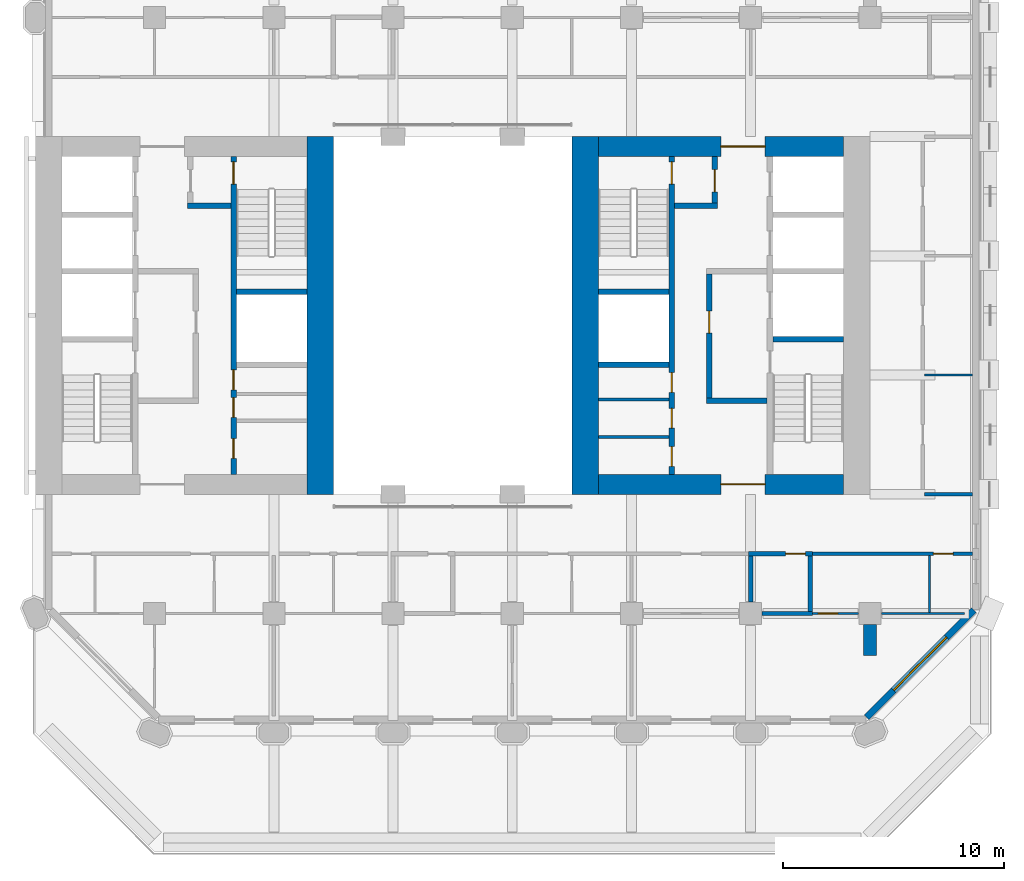
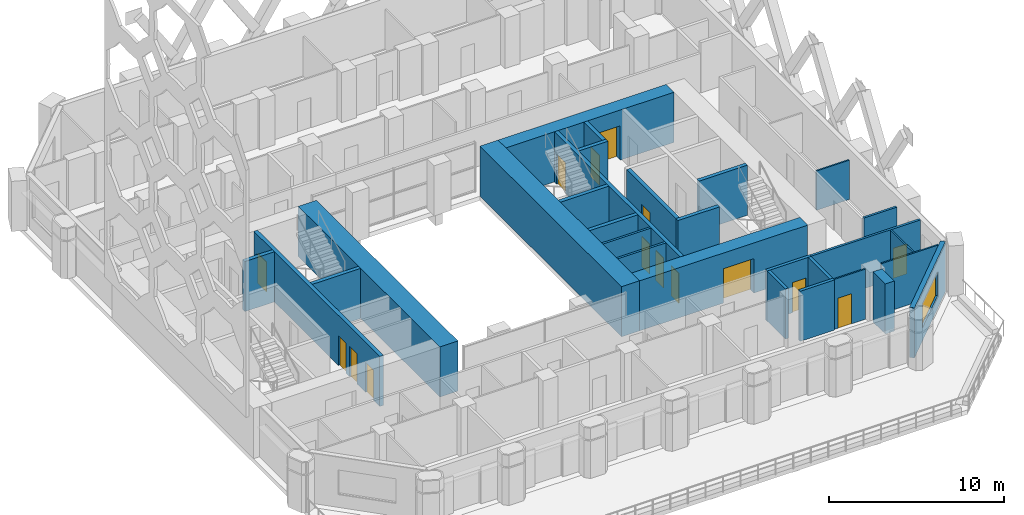
# One storey, part 10 of 16: 29 walls, 15 doors, 1 window, 16 openings.
"""IFC4 building model written with IfcOpenShell, lengths in metres."""

import ifcopenshell
import ifcopenshell.guid

model = None  # the IFC model being written
_history = None  # IfcOwnerHistory: only IFC2X3 demands one
_inside = {}  # id of a spatial element -> (the spatial element, [elements in it])
_under = {}  # id of a project, library or spatial element -> (it, [spatial elements below it])
_declared = {}  # id of a project -> (the project, [libraries it declares])
_typed = {}  # id of a type object -> (the type object, [elements of that type])
_made_of = {}  # id of a material, layer set ... -> (it, [elements and type objects made of it])


def new_model(schema):
    """Start an empty IFC model of exactly this schema.

    Asked for "IFC4X3", IfcOpenShell would pick the latest addendum, in which some entities
    have other attributes; the version numbers below select the first issue.
    IFC2X3 requires an IfcOwnerHistory on every rooted entity: one is made here for all.
    """
    global model, _history
    if schema == "IFC4X3":
        model = ifcopenshell.file(schema_version=(4, 3, 0, 0))
    else:
        model = ifcopenshell.file(schema=schema)
    _inside.clear()
    _under.clear()
    _declared.clear()
    _typed.clear()
    _made_of.clear()
    _history = None
    if model.schema == "IFC2X3":
        org = make("IfcOrganization", Name="unknown")
        user = make(
            "IfcPersonAndOrganization",
            ThePerson=make("IfcPerson", FamilyName="unknown"),
            TheOrganization=org,
        )
        app = make(
            "IfcApplication",
            ApplicationDeveloper=org,
            Version="unknown",
            ApplicationFullName="unknown",
            ApplicationIdentifier="unknown",
        )
        _history = make(
            "IfcOwnerHistory",
            OwningUser=user,
            OwningApplication=app,
            ChangeAction="ADDED",
            CreationDate=0,
        )
    return model


def make(cls, **values):
    """One entity of the class cls with the attributes given. An attribute that is None is left unset."""
    return model.create_entity(
        cls, **{name: value for name, value in values.items() if value is not None}
    )


def rooted(cls, **values):
    """An entity with a GlobalId (a new one), such as an element, a storey or a relation."""
    return make(cls, GlobalId=ifcopenshell.guid.new(), OwnerHistory=_history, **values)


def si_unit(unit_type, name, prefix=None):
    """IfcSIUnit, for example si_unit("LENGTHUNIT", "METRE", prefix="MILLI")."""
    return make("IfcSIUnit", UnitType=unit_type, Prefix=prefix, Name=name)


def assignment(units):
    """IfcUnitAssignment: the units of a project."""
    return None if units is None else make("IfcUnitAssignment", Units=units)


def point(xyz):
    """IfcCartesianPoint."""
    return None if xyz is None else make("IfcCartesianPoint", Coordinates=xyz)


def direction(xyz):
    """IfcDirection."""
    return None if xyz is None else make("IfcDirection", DirectionRatios=xyz)


def frame(location, z_axis=None, x_axis=None):
    """IfcAxis2Placement3D, a coordinate frame: its origin and axes. An axis left out is left unset."""
    return make(
        "IfcAxis2Placement3D",
        Location=point(location),
        Axis=direction(z_axis),
        RefDirection=direction(x_axis),
    )


def frame_2d(location, x_axis=None):
    """IfcAxis2Placement2D, a coordinate frame in the plane: its origin and x axis."""
    return make(
        "IfcAxis2Placement2D", Location=point(location), RefDirection=direction(x_axis)
    )


def origin():
    """The frame at (0, 0, 0) with its axes left unset."""
    return frame((0.0, 0.0, 0.0))


def place(relative_to, where):
    """IfcLocalPlacement: puts the frame where relative to a parent placement (None: the world)."""
    return make(
        "IfcLocalPlacement", PlacementRelTo=relative_to, RelativePlacement=where
    )


def context(
    kind, dimensions, precision=None, world=None, true_north=None, identifier=None
):
    """IfcGeometricRepresentationContext, for example the 3D "Model" context."""
    return make(
        "IfcGeometricRepresentationContext",
        ContextIdentifier=identifier,
        ContextType=kind,
        CoordinateSpaceDimension=dimensions,
        Precision=precision,
        WorldCoordinateSystem=world,
        TrueNorth=true_north,
    )


def subcontext(parent, identifier, kind, view, scale=None):
    """IfcGeometricRepresentationSubContext, for example "Body" below "Model"."""
    return make(
        "IfcGeometricRepresentationSubContext",
        ContextIdentifier=identifier,
        ContextType=kind,
        ParentContext=parent,
        TargetScale=scale,
        TargetView=view,
    )


def project(units=None, contexts=None):
    """IfcProject with its units and contexts."""
    return rooted(
        "IfcProject",
        Name="project",
        RepresentationContexts=contexts,
        UnitsInContext=assignment(units),
    )


def spatial(cls, under=None, at=None, **own):
    """A site, building, storey or space (cls), placed at a placement, below another one or the project."""
    s = rooted(cls, ObjectPlacement=at, **own)
    if under is not None:
        _under.setdefault(under.id(), (under, []))[1].append(s)
    return s


def profile(cls, at=None, kind="AREA", **sizes):
    """A parametric profile (cls). Its sizes go by their IFC names, for example OverallWidth=200.0."""
    return make(cls, ProfileType=kind, Position=at, **sizes)


def rectangle(**sizes):
    """IfcRectangleProfileDef."""
    return profile("IfcRectangleProfileDef", **sizes)


def extrude(swept, where, along, depth):
    """IfcExtrudedAreaSolid: the profile swept, set in the frame where, extruded along a direction by depth."""
    return make(
        "IfcExtrudedAreaSolid",
        SweptArea=swept,
        Position=where,
        ExtrudedDirection=direction(along),
        Depth=depth,
    )


def shape(context_of_items, identifier, shape_type, items):
    """IfcShapeRepresentation: the items that make up one representation, for example the "Body"."""
    return make(
        "IfcShapeRepresentation",
        ContextOfItems=context_of_items,
        RepresentationIdentifier=identifier,
        RepresentationType=shape_type,
        Items=items,
    )


def material(Name=None, Category=None):
    """IfcMaterial."""
    return make("IfcMaterial", Name=Name, Category=Category)


def layer(
    of_material, thickness, ventilated=None, Name=None, Category=None, Priority=None
):
    """IfcMaterialLayer: one layer of a wall or slab, of a material (None: an air gap)."""
    return make(
        "IfcMaterialLayer",
        Material=of_material,
        LayerThickness=thickness,
        IsVentilated=ventilated,
        Name=Name,
        Category=Category,
        Priority=Priority,
    )


def layer_set(layers, Name=None):
    """IfcMaterialLayerSet."""
    return make("IfcMaterialLayerSet", MaterialLayers=layers, LayerSetName=Name)


def made_of(thing, what):
    """Note that an element or type object is made of a material, layer set ...; save() writes the relation."""
    if what is not None:
        _made_of.setdefault(what.id(), (what, []))[1].append(thing)
    return thing


def type_object(cls, material=None, **own):
    """A type object (cls), such as IfcWallType, which elements share."""
    return made_of(rooted(cls, **own), material)


def element(
    cls,
    number,
    at=None,
    inside=None,
    cuts=None,
    type_object=None,
    material=None,
    context=None,
    identifier="Body",
    shape_type=None,
    held_by="IfcProductDefinitionShape",
    body=None,
    shapes=None,
    **own,
):
    """One element of the class cls, such as IfcWall. Its Tag is "e" and its number.

    at: its placement. inside: the storey or other place that contains it. cuts: it is an
    opening in that element (IfcRelVoidsElement). A single representation is given by context,
    identifier, shape_type and body (its items); several are given by shapes. held_by: the class
    of the entity that holds the representations. save() writes the other relations.
    """
    e = rooted(cls, Tag="e%d" % number, ObjectPlacement=at, **own)
    if body is not None:
        shapes = [shape(context, identifier, shape_type, body)]
    if shapes is not None:
        e.Representation = make(held_by, Representations=shapes)
    if inside is not None:
        _inside.setdefault(inside.id(), (inside, []))[1].append(e)
    if cuts is not None:
        rooted(
            "IfcRelVoidsElement", RelatingBuildingElement=cuts, RelatedOpeningElement=e
        )
    if type_object is not None:
        _typed.setdefault(type_object.id(), (type_object, []))[1].append(e)
    return made_of(e, material)


def fill(opening, filler):
    """IfcRelFillsElement: the door or window that sits in an opening."""
    return rooted(
        "IfcRelFillsElement",
        RelatingOpeningElement=opening,
        RelatedBuildingElement=filler,
    )


def aggregate(whole, parts):
    """IfcRelAggregates: a whole, such as a stair, and the parts it consists of."""
    return rooted("IfcRelAggregates", RelatingObject=whole, RelatedObjects=parts)


def save(model, path):
    """Write the relations noted so far, then the file.

    IfcRelAggregates (storeys below a building ...), IfcRelContainedInSpatialStructure (elements
    in a storey), IfcRelDefinesByType, IfcRelAssociatesMaterial and IfcRelDeclares: one each for
    every whole, place, type object, material and project.
    """
    for whole, parts in _under.values():
        aggregate(whole, parts)
    for where, things in _inside.values():
        rooted(
            "IfcRelContainedInSpatialStructure",
            RelatedElements=things,
            RelatingStructure=where,
        )
    for kind, things in _typed.values():
        rooted("IfcRelDefinesByType", RelatedObjects=things, RelatingType=kind)
    for what, things in _made_of.values():
        rooted("IfcRelAssociatesMaterial", RelatedObjects=things, RelatingMaterial=what)
    for by, libraries in _declared.values():
        rooted("IfcRelDeclares", RelatingContext=by, RelatedDefinitions=libraries)
    model.write(path)


model = new_model("IFC4")

# Units and contexts
model_context = context("Model", 3, precision=1e-05, world=origin(), true_north=direction((0.0, 1.0)))
body_context = subcontext(model_context, "Body", "Model", "MODEL_VIEW")
ifc_project = project(units=[si_unit("LENGTHUNIT", "METRE"), si_unit("AREAUNIT", "SQUARE_METRE"), si_unit("VOLUMEUNIT", "CUBIC_METRE"), si_unit("PLANEANGLEUNIT", "RADIAN"), si_unit("MASSUNIT", "GRAM", prefix="KILO")], contexts=[model_context])

# Site, building, storey
site_placement = place(None, origin())
site = spatial("IfcSite", under=ifc_project, at=site_placement, CompositionType="ELEMENT")
building_placement = place(site_placement, origin())
building = spatial("IfcBuilding", under=site, at=building_placement, Name="Tabaq Tower and Sports Hall", CompositionType="ELEMENT")
storey_placement = place(building_placement, frame((0.0, 0.0, 65.0)))
storey = spatial("IfcBuildingStorey", under=building, at=storey_placement, Name="L14", CompositionType="ELEMENT", Elevation=65.0)

# Walls
ifc_material_1 = material(Name="Blockwork", Category="masonry")
ifc_layer_1 = layer(ifc_material_1, 0.14990234375)
ifc_layer_set_1 = layer_set([ifc_layer_1], Name="Core room partition 150 Blockwork")
wall_type_1 = type_object("IfcWallType", Name="Core room partition 150 Blockwork", PredefinedType="PARTITIONING", material=ifc_layer_set_1)
for number, where, z_axis, x_axis, name in (
    (1, (30.89990234375, 18.797119140625, 0.0), (0.0, 0.0, 1.0), (1.0, 0.0, 0.0), "Core room partition E L14"),
    (2, (30.89990234375, 20.493896484375, 0.0), (0.0, 0.0, 1.0), (1.0, 0.0, 0.0), "Core room partition E L14"),
):
    element("IfcWall", number, at=place(storey_placement, frame(where, z_axis=z_axis, x_axis=x_axis)), inside=storey, type_object=wall_type_1, Name=name, PredefinedType="PARTITIONING", context=body_context, shape_type="SweptSolid", body=[
        extrude(rectangle(XDim=3.2001953125, YDim=0.14990234375, at=frame_2d((1.60009765625, 0.0))), origin(), (0.0, 0.0, 1.0), 3.5),
    ])
ifc_material_2 = material(Name="Concrete C60/75", Category="concrete")
ifc_layer_2 = layer(ifc_material_2, 1.199951171875)
ifc_layer_set_2 = layer_set([ifc_layer_2], Name="Core wall 1200 Concrete C60/75")
wall_type_2 = type_object("IfcWallType", Name="Core wall 1200 Concrete C60/75", PredefinedType="SOLIDWALL", material=ifc_layer_set_2)
for number, where, z_axis, x_axis, name in (
    (3, (18.300048828125, 32.39990234375, 0.0), (0.0, 0.0, 1.0), (0.0, -1.0, 0.0), "Core wall W L14"),
    (4, (30.300048828125, 16.199951171875, 0.0), (0.0, 0.0, 1.0), (0.0, 1.0, 0.0), "Core wall E L14"),
):
    element("IfcWall", number, at=place(storey_placement, frame(where, z_axis=z_axis, x_axis=x_axis)), inside=storey, type_object=wall_type_2, Name=name, PredefinedType="SOLIDWALL", context=body_context, shape_type="SweptSolid", body=[
        extrude(rectangle(XDim=16.199951171875, YDim=1.199951171875, at=frame_2d((8.10009765625, 0.0))), origin(), (0.0, 0.0, 1.0), 3.5),
    ])

# Wall, opening, door
ifc_material_3 = material(Name="Concrete C60/75", Category="concrete")
ifc_layer_3 = layer(ifc_material_3, 0.89990234375)
ifc_layer_set_3 = layer_set([ifc_layer_3], Name="Core wall 900 Concrete C60/75")
wall_type_3 = type_object("IfcWallType", Name="Core wall 900 Concrete C60/75", PredefinedType="SOLIDWALL", material=ifc_layer_set_3)
wall_1_placement = place(storey_placement, frame((42.0, 16.64990234375, 0.0), z_axis=(0.0, 0.0, 1.0), x_axis=(-1.0, 0.0, 0.0)))
wall_1 = element("IfcWall", 5, at=wall_1_placement, inside=storey, type_object=wall_type_3, Name="Core wall E L14", PredefinedType="SOLIDWALL", context=body_context, shape_type="SweptSolid", body=[
    extrude(rectangle(XDim=11.10009765625, YDim=0.89990234375, at=frame_2d((5.550048828125, 0.0))), origin(), (0.0, 0.0, 1.0), 3.5),
])
opening_1_placement = place(wall_1_placement, frame((3.550048828125, 0.0, 0.0)))
opening_1 = element("IfcOpeningElement", 6, at=opening_1_placement, cuts=wall_1, Name="Opening PD-EL14-01", PredefinedType="OPENING", context=body_context, shape_type="SweptSolid", body=[
    extrude(rectangle(XDim=2.0, YDim=2.39990234375, at=frame_2d((1.0, 1.199951171875))), frame((0.0, 0.449951171875, 0.0), z_axis=(0.0, -1.0, 0.0), x_axis=(1.0, 0.0, 0.0)), (0.0, 0.0, 1.0), 0.89990234375),
])
ifc_material_4 = material(Name="Steel fire door", Category="steel")
door_type_1 = type_object("IfcDoorType", Name="Core entrance door 2000", OperationType="DOUBLE_DOOR_SINGLE_SWING", PredefinedType="DOOR", material=ifc_material_4)
door_1_placement = place(opening_1_placement, origin())
door_1 = element("IfcDoor", 7, at=door_1_placement, inside=storey, type_object=door_type_1, Name="Core entrance south E L14", OperationType="DOUBLE_DOOR_SINGLE_SWING", OverallHeight=2.39990234375, OverallWidth=2.0, PredefinedType="DOOR", context=body_context, shape_type="SweptSolid", body=[
    extrude(rectangle(XDim=2.0, YDim=2.39990234375, at=frame_2d((1.0, 1.199951171875))), frame((0.0, 0.02490234375, 0.0), z_axis=(0.0, -1.0, 0.0), x_axis=(1.0, 0.0, 0.0)), (0.0, 0.0, 1.0), 0.050048828125),
])
fill(opening_1, door_1)

wall_2_placement = place(storey_placement, frame((30.89990234375, 31.949951171875, 0.0), z_axis=(0.0, 0.0, 1.0), x_axis=(1.0, 0.0, 0.0)))
wall_2 = element("IfcWall", 8, at=wall_2_placement, inside=storey, type_object=wall_type_3, Name="Core wall E L14", PredefinedType="SOLIDWALL", context=body_context, shape_type="SweptSolid", body=[
    extrude(rectangle(XDim=11.10009765625, YDim=0.89990234375, at=frame_2d((5.550048828125, 0.0))), origin(), (0.0, 0.0, 1.0), 3.5),
])
opening_2_placement = place(wall_2_placement, frame((5.550048828125, 0.0, 0.0)))
opening_2 = element("IfcOpeningElement", 9, at=opening_2_placement, cuts=wall_2, Name="Opening PD-EL14-02", PredefinedType="OPENING", context=body_context, shape_type="SweptSolid", body=[
    extrude(rectangle(XDim=2.0, YDim=2.39990234375, at=frame_2d((1.0, 1.199951171875))), frame((0.0, 0.449951171875, 0.0), z_axis=(0.0, -1.0, 0.0), x_axis=(1.0, 0.0, 0.0)), (0.0, 0.0, 1.0), 0.89990234375),
])
door_2_placement = place(opening_2_placement, origin())
door_2 = element("IfcDoor", 10, at=door_2_placement, inside=storey, type_object=door_type_1, Name="Core entrance north E L14", OperationType="DOUBLE_DOOR_SINGLE_SWING", OverallHeight=2.39990234375, OverallWidth=2.0, PredefinedType="DOOR", context=body_context, shape_type="SweptSolid", body=[
    extrude(rectangle(XDim=2.0, YDim=2.39990234375, at=frame_2d((1.0, 1.199951171875))), frame((0.0, 0.02490234375, 0.0), z_axis=(0.0, -1.0, 0.0), x_axis=(1.0, 0.0, 0.0)), (0.0, 0.0, 1.0), 0.050048828125),
])
fill(opening_2, door_2)

ifc_material_5 = material(Name="Blockwork", Category="masonry")
ifc_layer_4 = layer(ifc_material_5, 0.199951171875)
ifc_layer_set_4 = layer_set([ifc_layer_4], Name="Fire compartment wall 200 Blockwork")
wall_type_4 = type_object("IfcWallType", Name="Fire compartment wall 200 Blockwork", PredefinedType="PARTITIONING", material=ifc_layer_set_4)
wall_3_placement = place(storey_placement, frame((40.60009765625, 13.5, 0.0), z_axis=(0.0, 0.0, 1.0), x_axis=(-1.0, 0.0, 0.0)))
wall_3 = element("IfcWall", 11, at=wall_3_placement, inside=storey, type_object=wall_type_4, Name="Compartment wall L14", PredefinedType="PARTITIONING", context=body_context, shape_type="SweptSolid", body=[
    extrude(rectangle(XDim=2.900146484375, YDim=0.199951171875, at=frame_2d((1.4501953125, 0.0))), origin(), (0.0, 0.0, 1.0), 3.5),
])
opening_3_placement = place(wall_3_placement, frame((0.320068359375, 0.0, 0.0)))
opening_3 = element("IfcOpeningElement", 12, at=opening_3_placement, cuts=wall_3, Name="Opening L14-008", PredefinedType="OPENING", context=body_context, shape_type="SweptSolid", body=[
    extrude(rectangle(XDim=0.89990234375, YDim=2.10009765625, at=frame_2d((0.449951171875, 1.050048828125))), frame((0.0, 0.10009765625, 0.0), z_axis=(0.0, -1.0, 0.0), x_axis=(1.0, 0.0, 0.0)), (0.0, 0.0, 1.0), 0.199951171875),
])
ifc_material_6 = material(Name="Steel fire door", Category="steel")
door_type_2 = type_object("IfcDoorType", Name="Plant room door 900 left hand", OperationType="SINGLE_SWING_LEFT", PredefinedType="DOOR", material=ifc_material_6)
door_3_placement = place(opening_3_placement, origin())
door_3 = element("IfcDoor", 13, at=door_3_placement, inside=storey, type_object=door_type_2, Name="Plant room door L14-008", OperationType="SINGLE_SWING_LEFT", OverallHeight=2.10009765625, OverallWidth=0.89990234375, PredefinedType="DOOR", context=body_context, shape_type="SweptSolid", body=[
    extrude(rectangle(XDim=0.89990234375, YDim=2.10009765625, at=frame_2d((0.449951171875, 1.050048828125))), frame((0.0, 0.02490234375, 0.0), z_axis=(0.0, -1.0, 0.0), x_axis=(1.0, 0.0, 0.0)), (0.0, 0.0, 1.0), 0.050048828125),
])
fill(opening_3, door_3)

# Walls
wall_4_placement = place(storey_placement, frame((37.800048828125, 11.320068359375, 0.0), z_axis=(0.0, 0.0, 1.0), x_axis=(0.0, 1.0, 0.0)))
element("IfcWall", 14, at=wall_4_placement, inside=storey, type_object=wall_type_4, Name="Compartment wall L14", PredefinedType="PARTITIONING", context=body_context, shape_type="SweptSolid", body=[
    extrude(rectangle(XDim=2.079833984375, YDim=0.199951171875, at=frame_2d((1.0400390625, 0.0))), origin(), (0.0, 0.0, 1.0), 3.5),
])
wall_5_placement = place(storey_placement, frame((38.320068359375, 10.800048828125, 0.0), z_axis=(0.0, 0.0, 1.0), x_axis=(1.0, 0.0, 0.0)))
element("IfcWall", 15, at=wall_5_placement, inside=storey, type_object=wall_type_4, Name="Compartment wall L14", PredefinedType="PARTITIONING", context=body_context, shape_type="SweptSolid", body=[
    extrude(rectangle(XDim=2.280029296875, YDim=0.199951171875, at=frame_2d((1.14013671875, 0.0))), origin(), (0.0, 0.0, 1.0), 3.5),
])
wall_6_placement = place(storey_placement, frame((40.5, 10.89990234375, 0.0), z_axis=(0.0, 0.0, 1.0), x_axis=(0.0, 1.0, 0.0)))
element("IfcWall", 16, at=wall_6_placement, inside=storey, type_object=wall_type_4, Name="Compartment wall L14", PredefinedType="PARTITIONING", context=body_context, shape_type="SweptSolid", body=[
    extrude(rectangle(XDim=2.5, YDim=0.199951171875, at=frame_2d((1.25, 0.0))), origin(), (0.0, 0.0, 1.0), 3.5),
])

# Wall, opening, door
ifc_material_7 = material(Name="Gypsum board on steel studs", Category="steel")
ifc_layer_5 = layer(ifc_material_7, 0.10009765625)
ifc_layer_set_5 = layer_set([ifc_layer_5], Name="Partition 100 Gypsum board")
wall_type_5 = type_object("IfcWallType", Name="Partition 100 Gypsum board", PredefinedType="PARTITIONING", material=ifc_layer_set_5)
wall_7_placement = place(storey_placement, frame((40.60009765625, 10.800048828125, 0.0), z_axis=(0.0, 0.0, 1.0), x_axis=(1.0, 0.0, 0.0)))
wall_7 = element("IfcWall", 17, at=wall_7_placement, inside=storey, type_object=wall_type_5, Name="Partition wall L14", PredefinedType="PARTITIONING", context=body_context, shape_type="SweptSolid", body=[
    extrude(rectangle(XDim=2.079833984375, YDim=0.10009765625, at=frame_2d((1.0400390625, 0.0))), origin(), (0.0, 0.0, 1.0), 3.5),
])
opening_4_placement = place(wall_7_placement, frame((0.25, 0.0, 0.0)))
opening_4 = element("IfcOpeningElement", 18, at=opening_4_placement, cuts=wall_7, Name="Opening L14-026", PredefinedType="OPENING", context=body_context, shape_type="SweptSolid", body=[
    extrude(rectangle(XDim=0.89990234375, YDim=2.10009765625, at=frame_2d((0.449951171875, 1.050048828125))), frame((0.0, 0.050048828125, 0.0), z_axis=(0.0, -1.0, 0.0), x_axis=(1.0, 0.0, 0.0)), (0.0, 0.0, 1.0), 0.10009765625),
])
ifc_material_8 = material(Name="Timber leaf in steel frame", Category="steel")
door_type_3 = type_object("IfcDoorType", Name="Internal door 900 left hand", OperationType="SINGLE_SWING_LEFT", PredefinedType="DOOR", material=ifc_material_8)
door_4_placement = place(opening_4_placement, origin())
door_4 = element("IfcDoor", 19, at=door_4_placement, inside=storey, type_object=door_type_3, Name="Internal door L14-026", OperationType="SINGLE_SWING_LEFT", OverallHeight=2.10009765625, OverallWidth=0.89990234375, PredefinedType="DOOR", context=body_context, shape_type="SweptSolid", body=[
    extrude(rectangle(XDim=0.89990234375, YDim=2.10009765625, at=frame_2d((0.449951171875, 1.050048828125))), frame((0.0, 0.02490234375, 0.0), z_axis=(0.0, -1.0, 0.0), x_axis=(1.0, 0.0, 0.0)), (0.0, 0.0, 1.0), 0.050048828125),
])
fill(opening_4, door_4)

# Walls
wall_8_placement = place(storey_placement, frame((45.89990234375, 10.85009765625, 0.0), z_axis=(0.0, 0.0, 1.0), x_axis=(0.0, 1.0, 0.0)))
element("IfcWall", 20, at=wall_8_placement, inside=storey, type_object=wall_type_5, Name="Partition wall L14", PredefinedType="PARTITIONING", context=body_context, shape_type="SweptSolid", body=[
    extrude(rectangle(XDim=2.574951171875, YDim=0.10009765625, at=frame_2d((1.28759765625, 0.0))), origin(), (0.0, 0.0, 1.0), 3.5),
])
wall_9_placement = place(storey_placement, frame((43.719970703125, 10.800048828125, 0.0), z_axis=(0.0, 0.0, 1.0), x_axis=(1.0, 0.0, 0.0)))
element("IfcWall", 21, at=wall_9_placement, inside=storey, type_object=wall_type_5, Name="Partition wall L14", PredefinedType="PARTITIONING", context=body_context, shape_type="SweptSolid", body=[
    extrude(rectangle(XDim=3.767822265625, YDim=0.10009765625, at=frame_2d((1.8837890625, 0.0))), origin(), (0.0, 0.0, 1.0), 3.5),
])
wall_10_placement = place(storey_placement, frame((45.675048828125, 21.60009765625, 0.0), z_axis=(0.0, 0.0, 1.0), x_axis=(1.0, 0.0, 0.0)))
element("IfcWall", 22, at=wall_10_placement, inside=storey, type_object=wall_type_5, Name="Partition wall L14", PredefinedType="PARTITIONING", context=body_context, shape_type="SweptSolid", body=[
    extrude(rectangle(XDim=2.174072265625, YDim=0.10009765625, at=frame_2d((1.0869140625, 0.0))), origin(), (0.0, 0.0, 1.0), 2.75),
])
ifc_material_9 = material(Name="Concrete C60/75", Category="concrete")
ifc_layer_6 = layer(ifc_material_9, 0.60009765625)
ifc_layer_set_6 = layer_set([ifc_layer_6], Name="RC TRANSFER WALL 600 C60/75")
wall_type_6 = type_object("IfcWallType", Name="RC TRANSFER WALL 600 C60/75", PredefinedType="SHEAR", material=ifc_layer_set_6)
wall_11_placement = place(storey_placement, frame((43.199951171875, 8.89404296875, 0.0), z_axis=(0.0, 0.0, 1.0), x_axis=(0.0, 1.0, 0.0)))
element("IfcWall", 23, at=wall_11_placement, inside=storey, type_object=wall_type_6, Name="Transfer Wall L14 East 2", PredefinedType="SHEAR", context=body_context, shape_type="SweptSolid", body=[
    extrude(rectangle(XDim=1.406005859375, YDim=0.60009765625, at=frame_2d((0.703125, 0.0))), origin(), (0.0, 0.0, 1.0), 3.5),
])
ifc_material_10 = material(Name="Blockwork", Category="masonry")
ifc_layer_7 = layer(ifc_material_10, 0.14990234375)
ifc_layer_set_7 = layer_set([ifc_layer_7], Name="Separating wall 150 Blockwork")
wall_type_7 = type_object("IfcWallType", Name="Separating wall 150 Blockwork", PredefinedType="PARTITIONING", material=ifc_layer_set_7)
wall_12_placement = place(storey_placement, frame((45.675048828125, 16.199951171875, 0.0), z_axis=(0.0, 0.0, 1.0), x_axis=(1.0, 0.0, 0.0)))
element("IfcWall", 24, at=wall_12_placement, inside=storey, type_object=wall_type_7, Name="Separating wall L14", PredefinedType="PARTITIONING", context=body_context, shape_type="SweptSolid", body=[
    extrude(rectangle(XDim=2.174072265625, YDim=0.14990234375, at=frame_2d((1.0869140625, 0.0))), origin(), (0.0, 0.0, 1.0), 2.75),
])

# Wall, opening, door
wall_13_placement = place(storey_placement, frame((47.84912109375, 13.5, 0.0), z_axis=(0.0, 0.0, 1.0), x_axis=(-1.0, 0.0, 0.0)))
wall_13 = element("IfcWall", 25, at=wall_13_placement, inside=storey, type_object=wall_type_7, Name="Separating wall L14", PredefinedType="PARTITIONING", context=body_context, shape_type="SweptSolid", body=[
    extrude(rectangle(XDim=7.2490234375, YDim=0.14990234375, at=frame_2d((3.62451171875, 0.0))), origin(), (0.0, 0.0, 1.0), 3.5),
])
opening_5_placement = place(wall_13_placement, frame((0.87890625, 0.0, 0.0)))
opening_5 = element("IfcOpeningElement", 26, at=opening_5_placement, cuts=wall_13, Name="Opening L14-009", PredefinedType="OPENING", context=body_context, shape_type="SweptSolid", body=[
    extrude(rectangle(XDim=0.89990234375, YDim=2.10009765625, at=frame_2d((0.449951171875, 1.050048828125))), frame((0.0, 0.074951171875, 0.0), z_axis=(0.0, -1.0, 0.0), x_axis=(1.0, 0.0, 0.0)), (0.0, 0.0, 1.0), 0.14990234375),
])
ifc_material_11 = material(Name="Steel fire door", Category="steel")
door_type_4 = type_object("IfcDoorType", Name="Entrance door 900 left hand", OperationType="SINGLE_SWING_LEFT", PredefinedType="DOOR", material=ifc_material_11)
door_5_placement = place(opening_5_placement, origin())
door_5 = element("IfcDoor", 27, at=door_5_placement, inside=storey, type_object=door_type_4, Name="Entrance door L14-009", OperationType="SINGLE_SWING_LEFT", OverallHeight=2.10009765625, OverallWidth=0.89990234375, PredefinedType="DOOR", context=body_context, shape_type="SweptSolid", body=[
    extrude(rectangle(XDim=0.89990234375, YDim=2.10009765625, at=frame_2d((0.449951171875, 1.050048828125))), frame((0.0, 0.02490234375, 0.0), z_axis=(0.0, -1.0, 0.0), x_axis=(1.0, 0.0, 0.0)), (0.0, 0.0, 1.0), 0.050048828125),
])
fill(opening_5, door_5)

# Wall, openings, doors
ifc_material_12 = material(Name="Concrete C40/50", Category="concrete")
ifc_layer_8 = layer(ifc_material_12, 0.25)
ifc_layer_set_8 = layer_set([ifc_layer_8], Name="Shaft and stair wall 250 Concrete C40/50")
wall_type_8 = type_object("IfcWallType", Name="Shaft and stair wall 250 Concrete C40/50", PredefinedType="SOLIDWALL", material=ifc_layer_set_8)
wall_14_placement = place(storey_placement, frame((14.375, 17.10009765625, 0.0), z_axis=(0.0, 0.0, 1.0), x_axis=(0.0, 1.0, 0.0)))
wall_14 = element("IfcWall", 28, at=wall_14_placement, inside=storey, type_object=wall_type_8, Name="Shaft wall W L14", PredefinedType="SOLIDWALL", context=body_context, shape_type="SweptSolid", body=[
    extrude(rectangle(XDim=14.39990234375, YDim=0.25, at=frame_2d((7.199951171875, 0.0))), origin(), (0.0, 0.0, 1.0), 3.5),
])
opening_6_placement = place(wall_14_placement, frame((13.14990234375, 0.0, 0.0)))
opening_6 = element("IfcOpeningElement", 29, at=opening_6_placement, cuts=wall_14, Name="Opening SD-WL14-05", PredefinedType="OPENING", context=body_context, shape_type="SweptSolid", body=[
    extrude(rectangle(XDim=1.0, YDim=2.10009765625, at=frame_2d((0.5, 1.050048828125))), frame((0.0, 0.125, 0.0), z_axis=(0.0, -1.0, 0.0), x_axis=(1.0, 0.0, 0.0)), (0.0, 0.0, 1.0), 0.25),
])
opening_7_placement = place(wall_14_placement, frame((0.72509765625, 0.0, 0.0)))
opening_7 = element("IfcOpeningElement", 30, at=opening_7_placement, cuts=wall_14, Name="Opening RD-WL14-10", PredefinedType="OPENING", context=body_context, shape_type="SweptSolid", body=[
    extrude(rectangle(XDim=0.89990234375, YDim=2.10009765625, at=frame_2d((0.449951171875, 1.050048828125))), frame((0.0, 0.125, 0.0), z_axis=(0.0, -1.0, 0.0), x_axis=(1.0, 0.0, 0.0)), (0.0, 0.0, 1.0), 0.25),
])
opening_8_placement = place(wall_14_placement, frame((2.5810546875, 0.0, 0.0)))
opening_8 = element("IfcOpeningElement", 31, at=opening_8_placement, cuts=wall_14, Name="Opening RD-WL14-11", PredefinedType="OPENING", context=body_context, shape_type="SweptSolid", body=[
    extrude(rectangle(XDim=0.89990234375, YDim=2.10009765625, at=frame_2d((0.449951171875, 1.050048828125))), frame((0.0, 0.125, 0.0), z_axis=(0.0, -1.0, 0.0), x_axis=(1.0, 0.0, 0.0)), (0.0, 0.0, 1.0), 0.25),
])
opening_9_placement = place(wall_14_placement, frame((3.8310546875, 0.0, 0.0)))
opening_9 = element("IfcOpeningElement", 32, at=opening_9_placement, cuts=wall_14, Name="Opening RD-WL14-12", PredefinedType="OPENING", context=body_context, shape_type="SweptSolid", body=[
    extrude(rectangle(XDim=0.89990234375, YDim=2.10009765625, at=frame_2d((0.449951171875, 1.050048828125))), frame((0.0, 0.125, 0.0), z_axis=(0.0, -1.0, 0.0), x_axis=(1.0, 0.0, 0.0)), (0.0, 0.0, 1.0), 0.25),
])
ifc_material_13 = material(Name="Steel fire door", Category="steel")
door_type_5 = type_object("IfcDoorType", Name="Core room door 900", OperationType="SINGLE_SWING_LEFT", PredefinedType="DOOR", material=ifc_material_13)
door_6_placement = place(opening_7_placement, origin())
door_6 = element("IfcDoor", 33, at=door_6_placement, inside=storey, type_object=door_type_5, Name="Door Unisex WC W L14", OperationType="SINGLE_SWING_LEFT", OverallHeight=2.10009765625, OverallWidth=0.89990234375, PredefinedType="DOOR", context=body_context, shape_type="SweptSolid", body=[
    extrude(rectangle(XDim=0.89990234375, YDim=2.10009765625, at=frame_2d((0.449951171875, 1.050048828125))), frame((0.0, 0.02490234375, 0.0), z_axis=(0.0, -1.0, 0.0), x_axis=(1.0, 0.0, 0.0)), (0.0, 0.0, 1.0), 0.050048828125),
])
fill(opening_7, door_6)
door_7_placement = place(opening_8_placement, origin())
door_7 = element("IfcDoor", 34, at=door_7_placement, inside=storey, type_object=door_type_5, Name="Door Cleaner's Store W L14", OperationType="SINGLE_SWING_LEFT", OverallHeight=2.10009765625, OverallWidth=0.89990234375, PredefinedType="DOOR", context=body_context, shape_type="SweptSolid", body=[
    extrude(rectangle(XDim=0.89990234375, YDim=2.10009765625, at=frame_2d((0.449951171875, 1.050048828125))), frame((0.0, 0.02490234375, 0.0), z_axis=(0.0, -1.0, 0.0), x_axis=(1.0, 0.0, 0.0)), (0.0, 0.0, 1.0), 0.050048828125),
])
fill(opening_8, door_7)
door_8_placement = place(opening_9_placement, origin())
door_8 = element("IfcDoor", 35, at=door_8_placement, inside=storey, type_object=door_type_5, Name="Door Accessible WC W L14", OperationType="SINGLE_SWING_LEFT", OverallHeight=2.10009765625, OverallWidth=0.89990234375, PredefinedType="DOOR", context=body_context, shape_type="SweptSolid", body=[
    extrude(rectangle(XDim=0.89990234375, YDim=2.10009765625, at=frame_2d((0.449951171875, 1.050048828125))), frame((0.0, 0.02490234375, 0.0), z_axis=(0.0, -1.0, 0.0), x_axis=(1.0, 0.0, 0.0)), (0.0, 0.0, 1.0), 0.050048828125),
])
fill(opening_9, door_8)
ifc_material_14 = material(Name="Steel fire door", Category="steel")
door_type_6 = type_object("IfcDoorType", Name="Stair door 1000", OperationType="SINGLE_SWING_LEFT", PredefinedType="DOOR", material=ifc_material_14)
door_9_placement = place(opening_6_placement, origin())
door_9 = element("IfcDoor", 36, at=door_9_placement, inside=storey, type_object=door_type_6, Name="Stair door ST2 W L14", OperationType="SINGLE_SWING_LEFT", OverallHeight=2.10009765625, OverallWidth=1.0, PredefinedType="DOOR", context=body_context, shape_type="SweptSolid", body=[
    extrude(rectangle(XDim=1.0, YDim=2.10009765625, at=frame_2d((0.5, 1.050048828125))), frame((0.0, 0.02490234375, 0.0), z_axis=(0.0, -1.0, 0.0), x_axis=(1.0, 0.0, 0.0)), (0.0, 0.0, 1.0), 0.050048828125),
])
fill(opening_6, door_9)

# Walls
wall_15_placement = place(storey_placement, frame((14.5, 25.375, 0.0), z_axis=(0.0, 0.0, 1.0), x_axis=(1.0, 0.0, 0.0)))
element("IfcWall", 37, at=wall_15_placement, inside=storey, type_object=wall_type_8, Name="Stair enclosure wall W L14", PredefinedType="SOLIDWALL", context=body_context, shape_type="SweptSolid", body=[
    extrude(rectangle(XDim=3.199951171875, YDim=0.25, at=frame_2d((1.60009765625, 0.0))), origin(), (0.0, 0.0, 1.0), 3.5),
])
wall_16_placement = place(storey_placement, frame((12.300048828125, 29.27490234375, 0.0), z_axis=(0.0, 0.0, 1.0), x_axis=(1.0, 0.0, 0.0)))
element("IfcWall", 38, at=wall_16_placement, inside=storey, type_object=wall_type_8, Name="Fire-fighting lobby wall W L14", PredefinedType="SOLIDWALL", context=body_context, shape_type="SweptSolid", body=[
    extrude(rectangle(XDim=1.949951171875, YDim=0.25, at=frame_2d((0.97509765625, 0.0))), origin(), (0.0, 0.0, 1.0), 3.5),
])

# Wall, openings, doors
wall_17_placement = place(storey_placement, frame((34.22509765625, 17.10009765625, 0.0), z_axis=(0.0, 0.0, 1.0), x_axis=(0.0, 1.0, 0.0)))
wall_17 = element("IfcWall", 39, at=wall_17_placement, inside=storey, type_object=wall_type_8, Name="Shaft wall E L14", PredefinedType="SOLIDWALL", context=body_context, shape_type="SweptSolid", body=[
    extrude(rectangle(XDim=14.39990234375, YDim=0.25, at=frame_2d((7.199951171875, 0.0))), origin(), (0.0, 0.0, 1.0), 3.5),
])
opening_10_placement = place(wall_17_placement, frame((13.14990234375, 0.0, 0.0)))
opening_10 = element("IfcOpeningElement", 40, at=opening_10_placement, cuts=wall_17, Name="Opening SD-EL14-05", PredefinedType="OPENING", context=body_context, shape_type="SweptSolid", body=[
    extrude(rectangle(XDim=1.0, YDim=2.10009765625, at=frame_2d((0.5, 1.050048828125))), frame((0.0, 0.125, 0.0), z_axis=(0.0, -1.0, 0.0), x_axis=(1.0, 0.0, 0.0)), (0.0, 0.0, 1.0), 0.25),
])
opening_11_placement = place(wall_17_placement, frame((0.361083984375, 0.0, 0.0)))
opening_11 = element("IfcOpeningElement", 41, at=opening_11_placement, cuts=wall_17, Name="Opening RD-EL14-10", PredefinedType="OPENING", context=body_context, shape_type="SweptSolid", body=[
    extrude(rectangle(XDim=0.89990234375, YDim=2.10009765625, at=frame_2d((0.449951171875, 1.050048828125))), frame((0.0, 0.125, 0.0), z_axis=(0.0, -1.0, 0.0), x_axis=(1.0, 0.0, 0.0)), (0.0, 0.0, 1.0), 0.25),
])
opening_12_placement = place(wall_17_placement, frame((2.095458984375, 0.0, 0.0)))
opening_12 = element("IfcOpeningElement", 42, at=opening_12_placement, cuts=wall_17, Name="Opening RD-EL14-11", PredefinedType="OPENING", context=body_context, shape_type="SweptSolid", body=[
    extrude(rectangle(XDim=0.89990234375, YDim=2.10009765625, at=frame_2d((0.449951171875, 1.050048828125))), frame((0.0, 0.125, 0.0), z_axis=(0.0, -1.0, 0.0), x_axis=(1.0, 0.0, 0.0)), (0.0, 0.0, 1.0), 0.25),
])
opening_13_placement = place(wall_17_placement, frame((3.70947265625, 0.0, 0.0)))
opening_13 = element("IfcOpeningElement", 43, at=opening_13_placement, cuts=wall_17, Name="Opening RD-EL14-12", PredefinedType="OPENING", context=body_context, shape_type="SweptSolid", body=[
    extrude(rectangle(XDim=0.89990234375, YDim=2.10009765625, at=frame_2d((0.449951171875, 1.050048828125))), frame((0.0, 0.125, 0.0), z_axis=(0.0, -1.0, 0.0), x_axis=(1.0, 0.0, 0.0)), (0.0, 0.0, 1.0), 0.25),
])
door_10_placement = place(opening_11_placement, origin())
door_10 = element("IfcDoor", 44, at=door_10_placement, inside=storey, type_object=door_type_5, Name="Door Accessible WC E L14", OperationType="SINGLE_SWING_LEFT", OverallHeight=2.10009765625, OverallWidth=0.89990234375, PredefinedType="DOOR", context=body_context, shape_type="SweptSolid", body=[
    extrude(rectangle(XDim=0.89990234375, YDim=2.10009765625, at=frame_2d((0.449951171875, 1.050048828125))), frame((0.0, 0.02490234375, 0.0), z_axis=(0.0, -1.0, 0.0), x_axis=(1.0, 0.0, 0.0)), (0.0, 0.0, 1.0), 0.050048828125),
])
fill(opening_11, door_10)
door_11_placement = place(opening_12_placement, origin())
door_11 = element("IfcDoor", 45, at=door_11_placement, inside=storey, type_object=door_type_5, Name="Door Unisex WC E L14", OperationType="SINGLE_SWING_LEFT", OverallHeight=2.10009765625, OverallWidth=0.89990234375, PredefinedType="DOOR", context=body_context, shape_type="SweptSolid", body=[
    extrude(rectangle(XDim=0.89990234375, YDim=2.10009765625, at=frame_2d((0.449951171875, 1.050048828125))), frame((0.0, 0.02490234375, 0.0), z_axis=(0.0, -1.0, 0.0), x_axis=(1.0, 0.0, 0.0)), (0.0, 0.0, 1.0), 0.050048828125),
])
fill(opening_12, door_11)
door_12_placement = place(opening_13_placement, origin())
door_12 = element("IfcDoor", 46, at=door_12_placement, inside=storey, type_object=door_type_5, Name="Door Cleaner's Store E L14", OperationType="SINGLE_SWING_LEFT", OverallHeight=2.10009765625, OverallWidth=0.89990234375, PredefinedType="DOOR", context=body_context, shape_type="SweptSolid", body=[
    extrude(rectangle(XDim=0.89990234375, YDim=2.10009765625, at=frame_2d((0.449951171875, 1.050048828125))), frame((0.0, 0.02490234375, 0.0), z_axis=(0.0, -1.0, 0.0), x_axis=(1.0, 0.0, 0.0)), (0.0, 0.0, 1.0), 0.050048828125),
])
fill(opening_13, door_12)
door_13_placement = place(opening_10_placement, origin())
door_13 = element("IfcDoor", 47, at=door_13_placement, inside=storey, type_object=door_type_6, Name="Stair door ST4 E L14", OperationType="SINGLE_SWING_LEFT", OverallHeight=2.10009765625, OverallWidth=1.0, PredefinedType="DOOR", context=body_context, shape_type="SweptSolid", body=[
    extrude(rectangle(XDim=1.0, YDim=2.10009765625, at=frame_2d((0.5, 1.050048828125))), frame((0.0, 0.02490234375, 0.0), z_axis=(0.0, -1.0, 0.0), x_axis=(1.0, 0.0, 0.0)), (0.0, 0.0, 1.0), 0.050048828125),
])
fill(opening_10, door_13)

# Walls
wall_18_placement = place(storey_placement, frame((38.800048828125, 23.22509765625, 0.0), z_axis=(0.0, 0.0, 1.0), x_axis=(1.0, 0.0, 0.0)))
element("IfcWall", 48, at=wall_18_placement, inside=storey, type_object=wall_type_8, Name="Stair enclosure wall E L14", PredefinedType="SOLIDWALL", context=body_context, shape_type="SweptSolid", body=[
    extrude(rectangle(XDim=3.199951171875, YDim=0.25, at=frame_2d((1.60009765625, 0.0))), origin(), (0.0, 0.0, 1.0), 3.5),
])
for number, where, z_axis, x_axis, name in (
    (49, (30.89990234375, 25.375, 0.0), (0.0, 0.0, 1.0), (1.0, 0.0, 0.0), "Stair enclosure wall E L14"),
    (50, (30.89990234375, 22.074951171875, 0.0), (0.0, 0.0, 1.0), (1.0, 0.0, 0.0), "Shaft wall E L14"),
):
    element("IfcWall", number, at=place(storey_placement, frame(where, z_axis=z_axis, x_axis=x_axis)), inside=storey, type_object=wall_type_8, Name=name, PredefinedType="SOLIDWALL", context=body_context, shape_type="SweptSolid", body=[
        extrude(rectangle(XDim=3.2001953125, YDim=0.25, at=frame_2d((1.60009765625, 0.0))), origin(), (0.0, 0.0, 1.0), 3.5),
    ])
wall_19_placement = place(storey_placement, frame((35.800048828125, 20.425048828125, 0.0), z_axis=(0.0, 0.0, 1.0), x_axis=(1.0, 0.0, 0.0)))
element("IfcWall", 51, at=wall_19_placement, inside=storey, type_object=wall_type_8, Name="Fire-fighting lobby wall E L14", PredefinedType="SOLIDWALL", context=body_context, shape_type="SweptSolid", body=[
    extrude(rectangle(XDim=2.75, YDim=0.25, at=frame_2d((1.375, 0.0))), origin(), (0.0, 0.0, 1.0), 3.5),
])

# Wall, opening, door
wall_20_placement = place(storey_placement, frame((36.175048828125, 29.39990234375, 0.0), z_axis=(0.0, 0.0, 1.0), x_axis=(0.0, 1.0, 0.0)))
wall_20 = element("IfcWall", 52, at=wall_20_placement, inside=storey, type_object=wall_type_8, Name="Fire-fighting lobby wall E L14", PredefinedType="SOLIDWALL", context=body_context, shape_type="SweptSolid", body=[
    extrude(rectangle(XDim=2.10009765625, YDim=0.25, at=frame_2d((1.050048828125, 0.0))), origin(), (0.0, 0.0, 1.0), 3.5),
])
opening_14_placement = place(wall_20_placement, frame((0.5, 0.0, 0.0)))
opening_14 = element("IfcOpeningElement", 53, at=opening_14_placement, cuts=wall_20, Name="Opening FD-EL14-06", PredefinedType="OPENING", context=body_context, shape_type="SweptSolid", body=[
    extrude(rectangle(XDim=1.0, YDim=2.10009765625, at=frame_2d((0.5, 1.050048828125))), frame((0.0, 0.125, 0.0), z_axis=(0.0, -1.0, 0.0), x_axis=(1.0, 0.0, 0.0)), (0.0, 0.0, 1.0), 0.25),
])
ifc_material_15 = material(Name="Steel fire door", Category="steel")
door_type_7 = type_object("IfcDoorType", Name="Fire-fighting lobby door 1000", OperationType="SINGLE_SWING_LEFT", PredefinedType="DOOR", material=ifc_material_15)
door_14_placement = place(opening_14_placement, origin())
door_14 = element("IfcDoor", 54, at=door_14_placement, inside=storey, type_object=door_type_7, Name="Stair lobby door E L14", OperationType="SINGLE_SWING_LEFT", OverallHeight=2.10009765625, OverallWidth=1.0, PredefinedType="DOOR", context=body_context, shape_type="SweptSolid", body=[
    extrude(rectangle(XDim=1.0, YDim=2.10009765625, at=frame_2d((0.5, 1.050048828125))), frame((0.0, 0.02490234375, 0.0), z_axis=(0.0, -1.0, 0.0), x_axis=(1.0, 0.0, 0.0)), (0.0, 0.0, 1.0), 0.050048828125),
])
fill(opening_14, door_14)

# Wall
wall_21_placement = place(storey_placement, frame((34.35009765625, 29.27490234375, 0.0), z_axis=(0.0, 0.0, 1.0), x_axis=(1.0, 0.0, 0.0)))
element("IfcWall", 55, at=wall_21_placement, inside=storey, type_object=wall_type_8, Name="Fire-fighting lobby wall E L14", PredefinedType="SOLIDWALL", context=body_context, shape_type="SweptSolid", body=[
    extrude(rectangle(XDim=1.949951171875, YDim=0.25, at=frame_2d((0.97509765625, 0.0))), origin(), (0.0, 0.0, 1.0), 3.5),
])

# Wall, opening, door
wall_22_placement = place(storey_placement, frame((35.925048828125, 20.550048828125, 0.0), z_axis=(0.0, 0.0, 1.0), x_axis=(0.0, 1.0, 0.0)))
wall_22 = element("IfcWall", 56, at=wall_22_placement, inside=storey, type_object=wall_type_8, Name="Fire-fighting lobby wall E L14", PredefinedType="SOLIDWALL", context=body_context, shape_type="SweptSolid", body=[
    extrude(rectangle(XDim=5.625, YDim=0.25, at=frame_2d((2.8125, 0.0))), origin(), (0.0, 0.0, 1.0), 3.5),
])
opening_15_placement = place(wall_22_placement, frame((2.949951171875, 0.0, 0.0)))
opening_15 = element("IfcOpeningElement", 57, at=opening_15_placement, cuts=wall_22, Name="Opening FD-EL14-04", PredefinedType="OPENING", context=body_context, shape_type="SweptSolid", body=[
    extrude(rectangle(XDim=1.0, YDim=2.10009765625, at=frame_2d((0.5, 1.050048828125))), frame((0.0, 0.125, 0.0), z_axis=(0.0, -1.0, 0.0), x_axis=(1.0, 0.0, 0.0)), (0.0, 0.0, 1.0), 0.25),
])
door_15_placement = place(opening_15_placement, origin())
door_15 = element("IfcDoor", 58, at=door_15_placement, inside=storey, type_object=door_type_7, Name="Fire-fighting lobby door E L14", OperationType="SINGLE_SWING_LEFT", OverallHeight=2.10009765625, OverallWidth=1.0, PredefinedType="DOOR", context=body_context, shape_type="SweptSolid", body=[
    extrude(rectangle(XDim=1.0, YDim=2.10009765625, at=frame_2d((0.5, 1.050048828125))), frame((0.0, 0.02490234375, 0.0), z_axis=(0.0, -1.0, 0.0), x_axis=(1.0, 0.0, 0.0)), (0.0, 0.0, 1.0), 0.050048828125),
])
fill(opening_15, door_15)

# Wall, opening, window
ifc_material_16 = material(Name="White precast concrete C60/75", Category="concrete")
ifc_layer_9 = layer(ifc_material_16, 0.300048828125)
ifc_layer_set_9 = layer_set([ifc_layer_9], Name="White precast concrete C60/75 external wall 300")
wall_type_9 = type_object("IfcWallType", Name="White precast concrete C60/75 external wall 300", PredefinedType="SOLIDWALL", material=ifc_layer_set_9)
wall_23_placement = place(storey_placement, frame((43.050537109375, 6.098876953125, 0.0), z_axis=(0.0, 0.0, 1.0), x_axis=(0.707106781187, 0.707106781187, 0.0)))
wall_23 = element("IfcWall", 59, at=wall_23_placement, inside=storey, type_object=wall_type_9, Name="External Wall L14 SE", PredefinedType="SOLIDWALL", context=body_context, shape_type="SweptSolid", body=[
    extrude(rectangle(XDim=6.85986328125, YDim=0.300048828125, at=frame_2d((3.429931640625, 0.0))), origin(), (0.0, 0.0, 1.0), 3.5),
])
opening_16_placement = place(wall_23_placement, frame((1.729736328125, 0.0, 0.89990234375)))
opening_16 = element("IfcOpeningElement", 60, at=opening_16_placement, cuts=wall_23, Name="Opening W1A", PredefinedType="OPENING", context=body_context, shape_type="SweptSolid", body=[
    extrude(rectangle(XDim=3.39990234375, YDim=1.699951171875, at=frame_2d((1.699951171875, 0.85009765625))), frame((0.0, 0.16015625, 0.0), z_axis=(0.0, -1.0, 0.0), x_axis=(1.0, 0.0, 0.0)), (0.0, 0.0, 1.0), 0.320068359375),
])
ifc_material_17 = material(Name="Aluminium framed clear glazing", Category="aluminium")
window_type = type_object("IfcWindowType", Name="Window W1A", PartitioningType="SINGLE_PANEL", PredefinedType="WINDOW", material=ifc_material_17)
window_placement = place(opening_16_placement, origin())
window = element("IfcWindow", 61, at=window_placement, inside=storey, type_object=window_type, Name="Window W1A L14", OverallHeight=1.699951171875, OverallWidth=3.39990234375, PartitioningType="SINGLE_PANEL", PredefinedType="WINDOW", context=body_context, shape_type="SweptSolid", body=[
    extrude(rectangle(XDim=3.39990234375, YDim=1.699951171875, at=frame_2d((1.699951171875, 0.85009765625))), frame((0.0, 0.030029296875, 0.0), z_axis=(0.0, -1.0, 0.0), x_axis=(1.0, 0.0, 0.0)), (0.0, 0.0, 1.0), 0.06005859375),
])
fill(opening_16, window)

save(model, "model.ifc")
